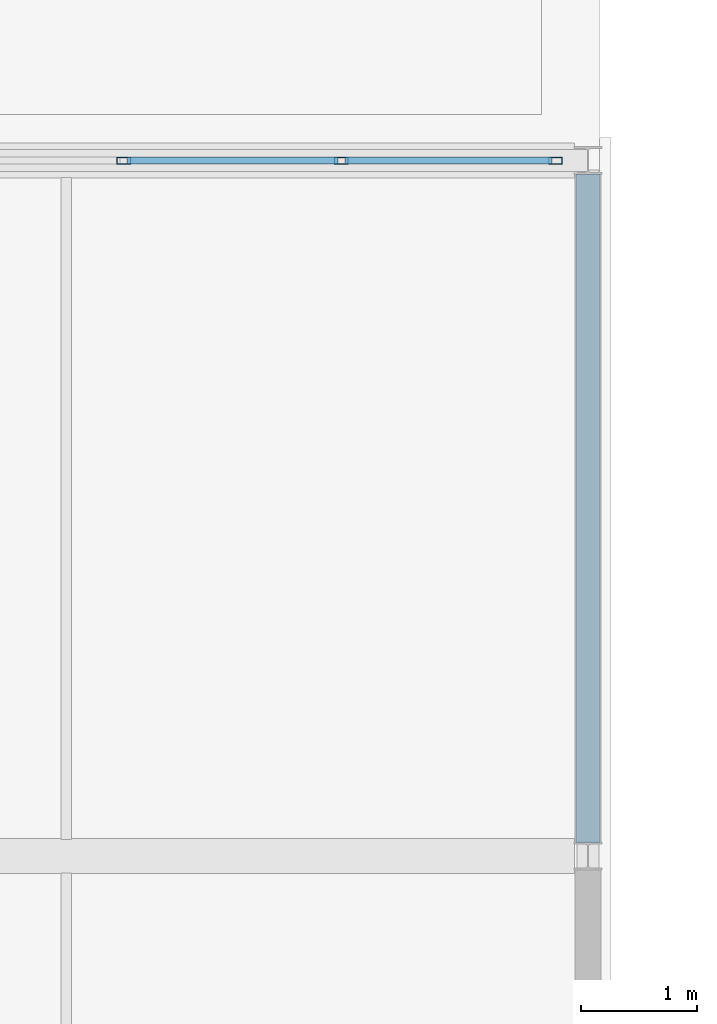
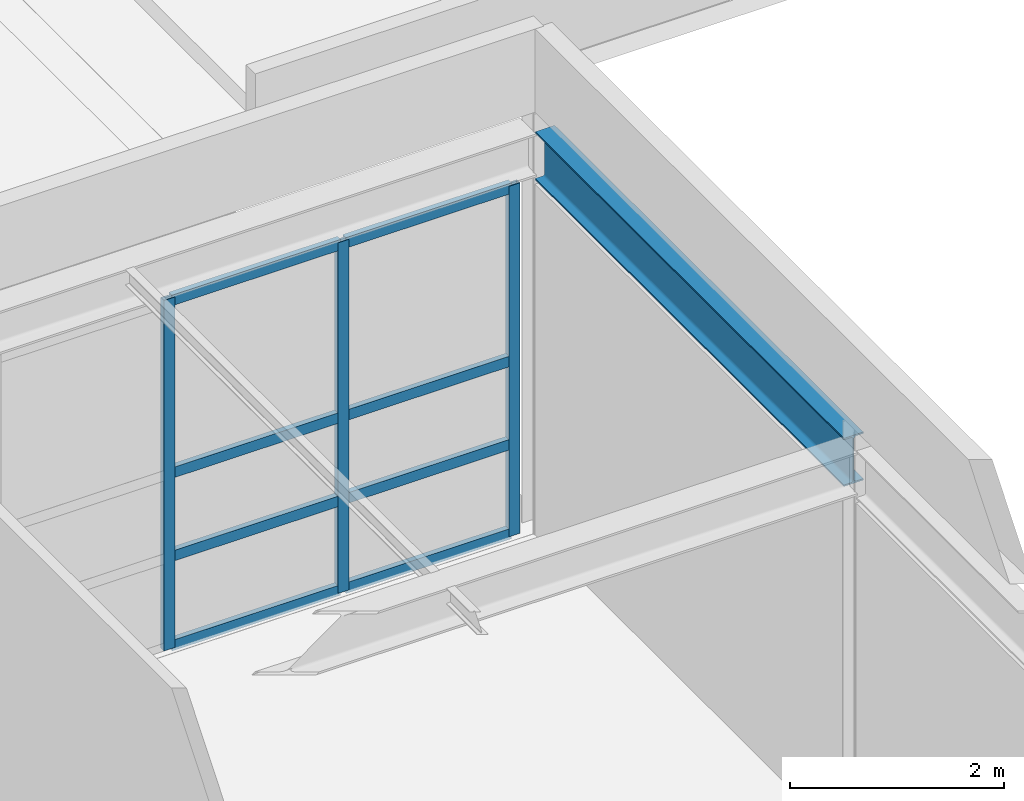
# One storey, part 27 of 38: 11 members, 1 beam, 1 element without a shape of its own.
"""IFC4 building model written with IfcOpenShell, lengths in metres."""

from ifc_helpers import new_model, si_unit, direction, frame, origin, origin_2d, place, context, subcontext, project, spatial, hollow_rectangle, i_section, extrude, material, material_profile, profile_set, type_object, element, aggregate, save


model = new_model("IFC4")

# Units and contexts
model_context = context("Model", 3, precision=1e-05, world=origin(), true_north=direction((0.0, 1.0)))
body_context = subcontext(model_context, "Body", "Model", "MODEL_VIEW")
ifc_project = project(units=[si_unit("LENGTHUNIT", "METRE"), si_unit("AREAUNIT", "SQUARE_METRE"), si_unit("VOLUMEUNIT", "CUBIC_METRE"), si_unit("PLANEANGLEUNIT", "RADIAN"), si_unit("MASSUNIT", "GRAM", prefix="KILO")], contexts=[model_context])

# Site, building, storey
site_placement = place(None, origin())
site = spatial("IfcSite", under=ifc_project, at=site_placement, CompositionType="ELEMENT")
building_placement = place(site_placement, origin())
building = spatial("IfcBuilding", under=site, at=building_placement, Name="Kaldris Quays Convention Centre", CompositionType="ELEMENT")
storey_placement = place(building_placement, frame((0.0, 0.0, 21.60009765625)))
storey = spatial("IfcBuildingStorey", under=building, at=storey_placement, Name="L04", CompositionType="ELEMENT", Elevation=21.60009765625)

# Curtain wall, members
ifc_material_1 = material(Name="Anodized aluminium AW-6060 and triple glazing", Category="aluminium")
curtain_wall_type = type_object("IfcCurtainWallType", Name="UNITISED CURTAIN WALL CW05", PredefinedType="NOTDEFINED", material=ifc_material_1)
curtain_wall_placement = place(storey_placement, origin())
curtain_wall = element("IfcCurtainWall", 1, at=curtain_wall_placement, inside=storey, type_object=curtain_wall_type, Name="L04 Unitised Curtain Wall CW05 151", PredefinedType="NOTDEFINED")
ifc_material_2 = material(Name="Anodized aluminium AW-6060", Category="aluminium")
ifc_material_profile_1 = material_profile(ifc_material_2, hollow_rectangle(XDim=0.06005859375, YDim=0.1201171875, WallThickness=0.00390625, at=origin_2d()), Name="RHS 120x60x4")
ifc_profile_set_1 = profile_set([ifc_material_profile_1], Name="Anodized aluminium AW-6060")
member_type_1 = type_object("IfcMemberType", Name="CURTAIN MULLION CWM3", PredefinedType="MULLION", material=ifc_profile_set_1)
member_1_placement = place(storey_placement, frame((159.994384765625, 98.0, 0.0), z_axis=(0.0, 0.0, 1.0), x_axis=(0.0, 1.0, 0.0)))
member_1 = element("IfcMember", 2, at=member_1_placement, type_object=member_type_1, Name="CW05 mullion 8", PredefinedType="MULLION", context=body_context, shape_type="SweptSolid", body=[
    extrude(hollow_rectangle(XDim=0.06005859375, YDim=0.1201171875, WallThickness=0.00390625, at=origin_2d()), origin(), (0.0, 0.0, 1.0), 4.0),
])
member_2_placement = place(storey_placement, frame((161.872314453125, 98.0, 0.0), z_axis=(0.0, 0.0, 1.0), x_axis=(0.0, 1.0, 0.0)))
member_2 = element("IfcMember", 3, at=member_2_placement, type_object=member_type_1, Name="CW05 mullion 9", PredefinedType="MULLION", context=body_context, shape_type="SweptSolid", body=[
    extrude(hollow_rectangle(XDim=0.06005859375, YDim=0.1201171875, WallThickness=0.00390625, at=origin_2d()), origin(), (0.0, 0.0, 1.0), 4.0),
])
member_3_placement = place(storey_placement, frame((163.719970703125, 98.0, 0.0), z_axis=(0.0, 0.0, 1.0), x_axis=(0.0, 1.0, 0.0)))
member_3 = element("IfcMember", 4, at=member_3_placement, type_object=member_type_1, Name="CW05 mullion 10", PredefinedType="MULLION", context=body_context, shape_type="SweptSolid", body=[
    extrude(hollow_rectangle(XDim=0.06005859375, YDim=0.1201171875, WallThickness=0.00390625, at=origin_2d()), origin(), (0.0, 0.0, 1.0), 4.0),
])
ifc_material_profile_2 = material_profile(ifc_material_2, hollow_rectangle(XDim=0.06005859375, YDim=0.1201171875, WallThickness=0.00390625, at=origin_2d()), Name="RHS 120x60x4")
ifc_profile_set_2 = profile_set([ifc_material_profile_2], Name="Anodized aluminium AW-6060")
member_type_2 = type_object("IfcMemberType", Name="CURTAIN TRANSOM CWT1", PredefinedType="USERDEFINED", material=ifc_profile_set_2)
member_4_placement = place(storey_placement, frame((160.0244140625, 98.0, 0.02978515625), z_axis=(1.0, 0.0, 0.0), x_axis=(0.0, 1.0, 0.0)))
member_4 = element("IfcMember", 5, at=member_4_placement, type_object=member_type_2, Name="CW05 transom 8.1", ObjectType="TRANSOM", PredefinedType="USERDEFINED", context=body_context, shape_type="SweptSolid", body=[
    extrude(hollow_rectangle(XDim=0.06005859375, YDim=0.1201171875, WallThickness=0.00390625, at=origin_2d()), origin(), (0.0, 0.0, 1.0), 1.81787109375),
])
member_5_placement = place(storey_placement, frame((160.0244140625, 98.0, 1.0498046875), z_axis=(1.0, 0.0, 0.0), x_axis=(0.0, 1.0, 0.0)))
member_5 = element("IfcMember", 6, at=member_5_placement, type_object=member_type_2, Name="CW05 transom 8.2", ObjectType="TRANSOM", PredefinedType="USERDEFINED", context=body_context, shape_type="SweptSolid", body=[
    extrude(hollow_rectangle(XDim=0.06005859375, YDim=0.1201171875, WallThickness=0.00390625, at=origin_2d()), origin(), (0.0, 0.0, 1.0), 1.81787109375),
])
member_6_placement = place(storey_placement, frame((160.0244140625, 98.0, 2.0), z_axis=(1.0, 0.0, 0.0), x_axis=(0.0, 1.0, 0.0)))
member_6 = element("IfcMember", 7, at=member_6_placement, type_object=member_type_2, Name="CW05 transom 8.3", ObjectType="TRANSOM", PredefinedType="USERDEFINED", context=body_context, shape_type="SweptSolid", body=[
    extrude(hollow_rectangle(XDim=0.06005859375, YDim=0.1201171875, WallThickness=0.00390625, at=origin_2d()), origin(), (0.0, 0.0, 1.0), 1.81787109375),
])
member_7_placement = place(storey_placement, frame((160.0244140625, 98.0, 3.969970703125), z_axis=(1.0, 0.0, 0.0), x_axis=(0.0, 1.0, 0.0)))
member_7 = element("IfcMember", 8, at=member_7_placement, type_object=member_type_2, Name="CW05 transom 8.4", ObjectType="TRANSOM", PredefinedType="USERDEFINED", context=body_context, shape_type="SweptSolid", body=[
    extrude(hollow_rectangle(XDim=0.06005859375, YDim=0.1201171875, WallThickness=0.00390625, at=origin_2d()), origin(), (0.0, 0.0, 1.0), 1.81787109375),
])
member_8_placement = place(storey_placement, frame((161.90234375, 98.0, 0.02978515625), z_axis=(1.0, 0.0, 0.0), x_axis=(0.0, 1.0, 0.0)))
member_8 = element("IfcMember", 9, at=member_8_placement, type_object=member_type_2, Name="CW05 transom 9.1", ObjectType="TRANSOM", PredefinedType="USERDEFINED", context=body_context, shape_type="SweptSolid", body=[
    extrude(hollow_rectangle(XDim=0.06005859375, YDim=0.1201171875, WallThickness=0.00390625, at=origin_2d()), origin(), (0.0, 0.0, 1.0), 1.78759765625),
])
member_9_placement = place(storey_placement, frame((161.90234375, 98.0, 1.0498046875), z_axis=(1.0, 0.0, 0.0), x_axis=(0.0, 1.0, 0.0)))
member_9 = element("IfcMember", 10, at=member_9_placement, type_object=member_type_2, Name="CW05 transom 9.2", ObjectType="TRANSOM", PredefinedType="USERDEFINED", context=body_context, shape_type="SweptSolid", body=[
    extrude(hollow_rectangle(XDim=0.06005859375, YDim=0.1201171875, WallThickness=0.00390625, at=origin_2d()), origin(), (0.0, 0.0, 1.0), 1.78759765625),
])
member_10_placement = place(storey_placement, frame((161.90234375, 98.0, 2.0), z_axis=(1.0, 0.0, 0.0), x_axis=(0.0, 1.0, 0.0)))
member_10 = element("IfcMember", 11, at=member_10_placement, type_object=member_type_2, Name="CW05 transom 9.3", ObjectType="TRANSOM", PredefinedType="USERDEFINED", context=body_context, shape_type="SweptSolid", body=[
    extrude(hollow_rectangle(XDim=0.06005859375, YDim=0.1201171875, WallThickness=0.00390625, at=origin_2d()), origin(), (0.0, 0.0, 1.0), 1.78759765625),
])
member_11_placement = place(storey_placement, frame((161.90234375, 98.0, 3.969970703125), z_axis=(1.0, 0.0, 0.0), x_axis=(0.0, 1.0, 0.0)))
member_11 = element("IfcMember", 12, at=member_11_placement, type_object=member_type_2, Name="CW05 transom 9.4", ObjectType="TRANSOM", PredefinedType="USERDEFINED", context=body_context, shape_type="SweptSolid", body=[
    extrude(hollow_rectangle(XDim=0.06005859375, YDim=0.1201171875, WallThickness=0.00390625, at=origin_2d()), origin(), (0.0, 0.0, 1.0), 1.78759765625),
])
aggregate(curtain_wall, [member_1, member_2, member_3, member_4, member_5, member_6, member_7, member_8, member_9, member_10, member_11])

# Beam
ifc_material_3 = material(Name="Steel S355J2", Category="steel")
ifc_material_profile_3 = material_profile(ifc_material_3, i_section(OverallWidth=0.2099609375, OverallDepth=0.550048828125, WebThickness=0.010986328125, FlangeThickness=0.01708984375, FilletRadius=0.02392578125, at=origin_2d()), Name="IPE 550")
ifc_profile_set_3 = profile_set([ifc_material_profile_3], Name="Steel S355J2")
beam_type = type_object("IfcBeamType", Name="STRUCTURAL BEAM BM11", PredefinedType="BEAM", material=ifc_profile_set_3)
beam_placement = place(storey_placement, frame((164.0, 92.114013671875, 4.31787109375), z_axis=(0.0, 1.0, 0.0), x_axis=(-1.0, 0.0, 0.0)))
element("IfcBeam", 13, at=beam_placement, inside=storey, type_object=beam_type, Name="L04 Girder BM11 72", PredefinedType="BEAM", context=body_context, shape_type="SweptSolid", body=[
    extrude(i_section(OverallWidth=0.2099609375, OverallDepth=0.550048828125, WebThickness=0.010986328125, FlangeThickness=0.01708984375, FilletRadius=0.02392578125, at=origin_2d()), origin(), (0.0, 0.0, 1.0), 5.77197265625),
])

save(model, "model.ifc")
